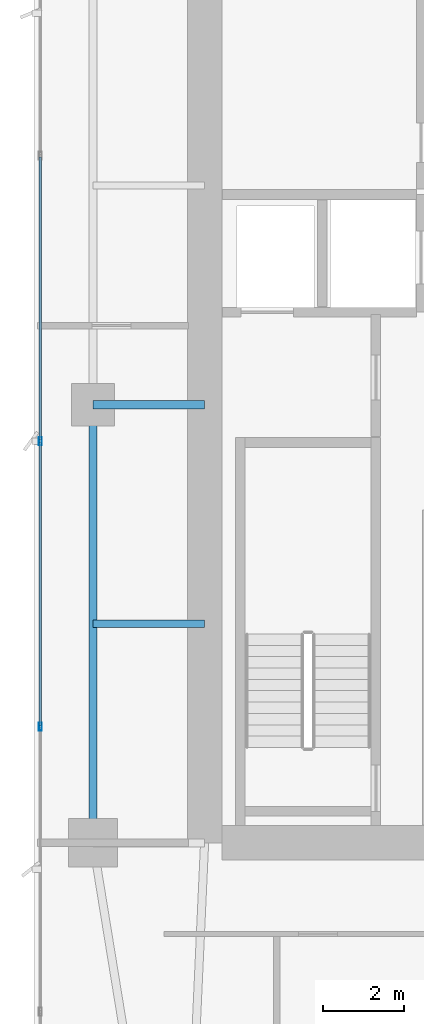
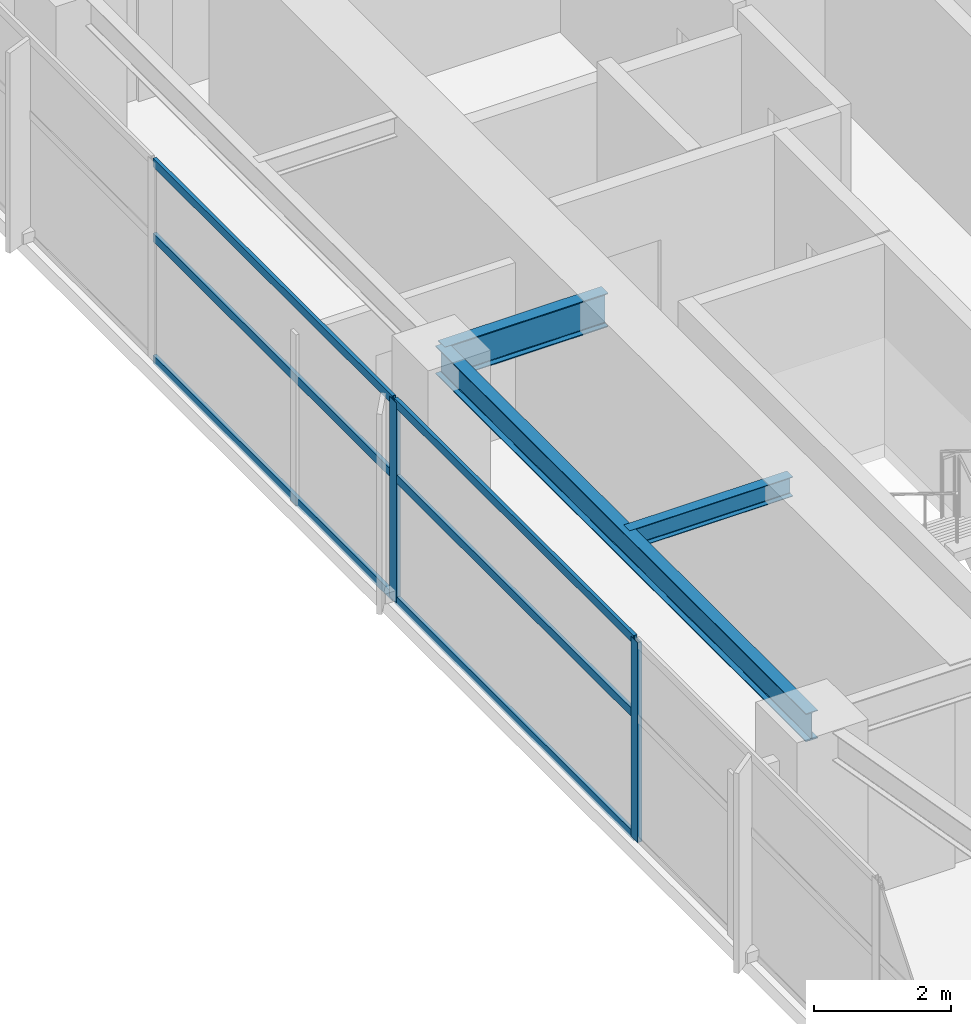
# One storey, part 8 of 29: 8 members, 3 beams, 1 element without a shape of its own.
"""IFC4 building model written with IfcOpenShell, lengths in metres."""

from ifc_helpers import new_model, si_unit, direction, frame, origin, origin_2d, place, context, subcontext, project, spatial, hollow_rectangle, i_section, extrude, material, layer, layer_set, material_profile, profile_set, type_object, element, aggregate, save


model = new_model("IFC4")

# Units and contexts
model_context = context("Model", 3, precision=1e-05, world=origin(), true_north=direction((0.0, 1.0)))
body_context = subcontext(model_context, "Body", "Model", "MODEL_VIEW")
ifc_project = project(units=[si_unit("LENGTHUNIT", "METRE"), si_unit("AREAUNIT", "SQUARE_METRE"), si_unit("VOLUMEUNIT", "CUBIC_METRE"), si_unit("PLANEANGLEUNIT", "RADIAN"), si_unit("MASSUNIT", "GRAM", prefix="KILO")], contexts=[model_context])

# Site, building, storey
site_placement = place(None, origin())
site = spatial("IfcSite", under=ifc_project, at=site_placement, CompositionType="ELEMENT")
building_placement = place(site_placement, origin())
building = spatial("IfcBuilding", under=site, at=building_placement, Name="Calvorn Quay Hotel", CompositionType="ELEMENT")
storey_placement = place(building_placement, frame((0.0, 0.0, 175.10009765625)))
storey = spatial("IfcBuildingStorey", under=building, at=storey_placement, Name="L43", CompositionType="ELEMENT", Elevation=175.10009765625)

# Beams
ifc_material_1 = material(Name="Steel Q355B", Category="steel")
ifc_material_profile_1 = material_profile(ifc_material_1, i_section(OverallWidth=0.199951171875, OverallDepth=0.60009765625, WebThickness=0.010986328125, FlangeThickness=0.01708984375, FilletRadius=0.01806640625, at=origin_2d()), Name="HN600x200x11x17")
ifc_profile_set_1 = profile_set([ifc_material_profile_1], Name="Steel Q355B")
beam_type_1 = type_object("IfcBeamType", Name="BM-GIRD-TYP", PredefinedType="BEAM", material=ifc_profile_set_1)
beam_1_placement = place(storey_placement, frame((1.449951171875, 27.60009765625, 3.239990234375), z_axis=(1.0, 0.0, 0.0), x_axis=(0.0, 1.0, 0.0)))
element("IfcBeam", 1, at=beam_1_placement, inside=storey, type_object=beam_type_1, Name="Beam BG-L43-W2", PredefinedType="BEAM", context=body_context, shape_type="SweptSolid", body=[
    extrude(i_section(OverallWidth=0.199951171875, OverallDepth=0.60009765625, WebThickness=0.010986328125, FlangeThickness=0.01708984375, FilletRadius=0.01806640625, at=origin_2d()), origin(), (0.0, 0.0, 1.0), 2.75),
])
ifc_material_2 = material(Name="Steel Q355B", Category="steel")
ifc_material_profile_2 = material_profile(ifc_material_2, i_section(OverallWidth=0.175048828125, OverallDepth=0.35009765625, WebThickness=0.007080078125, FlangeThickness=0.010986328125, FilletRadius=0.013916015625, at=origin_2d()), Name="HN350x175x7x11")
ifc_profile_set_2 = profile_set([ifc_material_profile_2], Name="Steel Q355B")
beam_type_2 = type_object("IfcBeamType", Name="BM-JOIST-SEC", PredefinedType="JOIST", material=ifc_profile_set_2)
beam_2_placement = place(storey_placement, frame((1.449951171875, 22.199951171875, 3.364990234375), z_axis=(1.0, 0.0, 0.0), x_axis=(0.0, 1.0, 0.0)))
element("IfcBeam", 2, at=beam_2_placement, inside=storey, type_object=beam_type_2, Name="Beam BJ-L43-W3", PredefinedType="JOIST", context=body_context, shape_type="SweptSolid", body=[
    extrude(i_section(OverallWidth=0.175048828125, OverallDepth=0.35009765625, WebThickness=0.007080078125, FlangeThickness=0.010986328125, FilletRadius=0.013916015625, at=origin_2d()), origin(), (0.0, 0.0, 1.0), 2.75),
])
ifc_material_3 = material(Name="Steel Q355B", Category="steel")
ifc_material_profile_3 = material_profile(ifc_material_3, i_section(OverallWidth=0.199951171875, OverallDepth=0.5, WebThickness=0.010009765625, FlangeThickness=0.01611328125, FilletRadius=0.01611328125, at=origin_2d()), Name="HN500x200x10x16")
ifc_profile_set_3 = profile_set([ifc_material_profile_3], Name="Steel Q355B")
beam_type_3 = type_object("IfcBeamType", Name="BM-SPANDREL-Z1", PredefinedType="SPANDREL", material=ifc_profile_set_3)
beam_3_placement = place(storey_placement, frame((1.449951171875, 16.800048828125, 3.289794921875), z_axis=(0.0, 1.0, 0.0), x_axis=(-1.0, 0.0, 0.0)))
element("IfcBeam", 3, at=beam_3_placement, inside=storey, type_object=beam_type_3, Name="Beam BSP-L43-W2", PredefinedType="SPANDREL", context=body_context, shape_type="SweptSolid", body=[
    extrude(i_section(OverallWidth=0.199951171875, OverallDepth=0.5, WebThickness=0.010009765625, FlangeThickness=0.01611328125, FilletRadius=0.01611328125, at=origin_2d()), origin(), (0.0, 0.0, 1.0), 10.800048828125),
])

# Curtain wall, members
ifc_material_4 = material(Name="Pale Anodised Aluminium and Low-E Glass", Category="aluminium")
ifc_layer = layer(ifc_material_4, 0.219970703125)
ifc_layer_set = layer_set([ifc_layer], Name="CW-SYS-Z2")
curtain_wall_type = type_object("IfcCurtainWallType", Name="CW-SYS-Z2", PredefinedType="NOTDEFINED", material=ifc_layer_set)
curtain_wall_placement = place(storey_placement, origin())
curtain_wall = element("IfcCurtainWall", 4, at=curtain_wall_placement, inside=storey, type_object=curtain_wall_type, Name="Tower West Curtain Wall (L43)", PredefinedType="NOTDEFINED")
ifc_material_5 = material(Name="Pale Anodised Aluminium 6063-T6", Category="aluminium")
ifc_material_profile_4 = material_profile(ifc_material_5, hollow_rectangle(XDim=0.070068359375, YDim=0.199951171875, WallThickness=0.00390625, at=origin_2d()), Name="ALU-M200x70x4")
ifc_profile_set_4 = profile_set([ifc_material_profile_4], Name="Pale Anodised Aluminium 6063-T6")
member_type_1 = type_object("IfcMemberType", Name="CW-SYS-Z2-MUL", PredefinedType="MULLION", material=ifc_profile_set_4)
member_1_placement = place(storey_placement, frame((0.14990234375, 19.666748046875, 0.0), z_axis=(0.0, 0.0, 1.0), x_axis=(-1.0, 0.0, 0.0)))
member_1 = element("IfcMember", 5, at=member_1_placement, type_object=member_type_1, Name="CW-L43-W mullion 3", PredefinedType="MULLION", context=body_context, shape_type="SweptSolid", body=[
    extrude(hollow_rectangle(XDim=0.070068359375, YDim=0.199951171875, WallThickness=0.00390625, at=origin_2d()), origin(), (0.0, 0.0, 1.0), 3.559814453125),
])
member_2_placement = place(storey_placement, frame((0.14990234375, 26.699951171875, 0.0), z_axis=(0.0, 0.0, 1.0), x_axis=(-1.0, 0.0, 0.0)))
member_2 = element("IfcMember", 6, at=member_2_placement, type_object=member_type_1, Name="CW-L43-W mullion 4", PredefinedType="MULLION", context=body_context, shape_type="SweptSolid", body=[
    extrude(hollow_rectangle(XDim=0.070068359375, YDim=0.199951171875, WallThickness=0.00390625, at=origin_2d()), origin(), (0.0, 0.0, 1.0), 3.559814453125),
])
ifc_material_6 = material(Name="Pale Anodised Aluminium 6063-T6", Category="aluminium")
ifc_material_profile_5 = material_profile(ifc_material_6, hollow_rectangle(XDim=0.06005859375, YDim=0.14990234375, WallThickness=0.00341796875, at=origin_2d()), Name="ALU-T150x60x3.5")
ifc_profile_set_5 = profile_set([ifc_material_profile_5], Name="Pale Anodised Aluminium 6063-T6")
member_type_2 = type_object("IfcMemberType", Name="CW-SYS-Z2-TRN", PredefinedType="USERDEFINED", material=ifc_profile_set_5)
member_3_placement = place(storey_placement, frame((0.14990234375, 19.69677734375, 0.02978515625), z_axis=(0.0, 1.0, 0.0), x_axis=(-1.0, 0.0, 0.0)))
member_3 = element("IfcMember", 7, at=member_3_placement, type_object=member_type_2, Name="CW-L43-W transom 3.1", ObjectType="TRANSOM", PredefinedType="USERDEFINED", context=body_context, shape_type="SweptSolid", body=[
    extrude(hollow_rectangle(XDim=0.06005859375, YDim=0.14990234375, WallThickness=0.00341796875, at=origin_2d()), origin(), (0.0, 0.0, 1.0), 6.97314453125),
])
member_4_placement = place(storey_placement, frame((0.14990234375, 19.69677734375, 2.199951171875), z_axis=(0.0, 1.0, 0.0), x_axis=(-1.0, 0.0, 0.0)))
member_4 = element("IfcMember", 8, at=member_4_placement, type_object=member_type_2, Name="CW-L43-W transom 3.2", ObjectType="TRANSOM", PredefinedType="USERDEFINED", context=body_context, shape_type="SweptSolid", body=[
    extrude(hollow_rectangle(XDim=0.06005859375, YDim=0.14990234375, WallThickness=0.00341796875, at=origin_2d()), origin(), (0.0, 0.0, 1.0), 6.97314453125),
])
member_5_placement = place(storey_placement, frame((0.14990234375, 19.69677734375, 3.52978515625), z_axis=(0.0, 1.0, 0.0), x_axis=(-1.0, 0.0, 0.0)))
member_5 = element("IfcMember", 9, at=member_5_placement, type_object=member_type_2, Name="CW-L43-W transom 3.3", ObjectType="TRANSOM", PredefinedType="USERDEFINED", context=body_context, shape_type="SweptSolid", body=[
    extrude(hollow_rectangle(XDim=0.06005859375, YDim=0.14990234375, WallThickness=0.00341796875, at=origin_2d()), origin(), (0.0, 0.0, 1.0), 6.97314453125),
])
member_6_placement = place(storey_placement, frame((0.14990234375, 26.72998046875, 0.02978515625), z_axis=(0.0, 1.0, 0.0), x_axis=(-1.0, 0.0, 0.0)))
member_6 = element("IfcMember", 10, at=member_6_placement, type_object=member_type_2, Name="CW-L43-W transom 4.1", ObjectType="TRANSOM", PredefinedType="USERDEFINED", context=body_context, shape_type="SweptSolid", body=[
    extrude(hollow_rectangle(XDim=0.06005859375, YDim=0.14990234375, WallThickness=0.00341796875, at=origin_2d()), origin(), (0.0, 0.0, 1.0), 6.973388671875),
])
member_7_placement = place(storey_placement, frame((0.14990234375, 26.72998046875, 2.199951171875), z_axis=(0.0, 1.0, 0.0), x_axis=(-1.0, 0.0, 0.0)))
member_7 = element("IfcMember", 11, at=member_7_placement, type_object=member_type_2, Name="CW-L43-W transom 4.2", ObjectType="TRANSOM", PredefinedType="USERDEFINED", context=body_context, shape_type="SweptSolid", body=[
    extrude(hollow_rectangle(XDim=0.06005859375, YDim=0.14990234375, WallThickness=0.00341796875, at=origin_2d()), origin(), (0.0, 0.0, 1.0), 6.973388671875),
])
member_8_placement = place(storey_placement, frame((0.14990234375, 26.72998046875, 3.52978515625), z_axis=(0.0, 1.0, 0.0), x_axis=(-1.0, 0.0, 0.0)))
member_8 = element("IfcMember", 12, at=member_8_placement, type_object=member_type_2, Name="CW-L43-W transom 4.3", ObjectType="TRANSOM", PredefinedType="USERDEFINED", context=body_context, shape_type="SweptSolid", body=[
    extrude(hollow_rectangle(XDim=0.06005859375, YDim=0.14990234375, WallThickness=0.00341796875, at=origin_2d()), origin(), (0.0, 0.0, 1.0), 6.973388671875),
])
aggregate(curtain_wall, [member_1, member_2, member_3, member_4, member_5, member_6, member_7, member_8])

save(model, "model.ifc")
